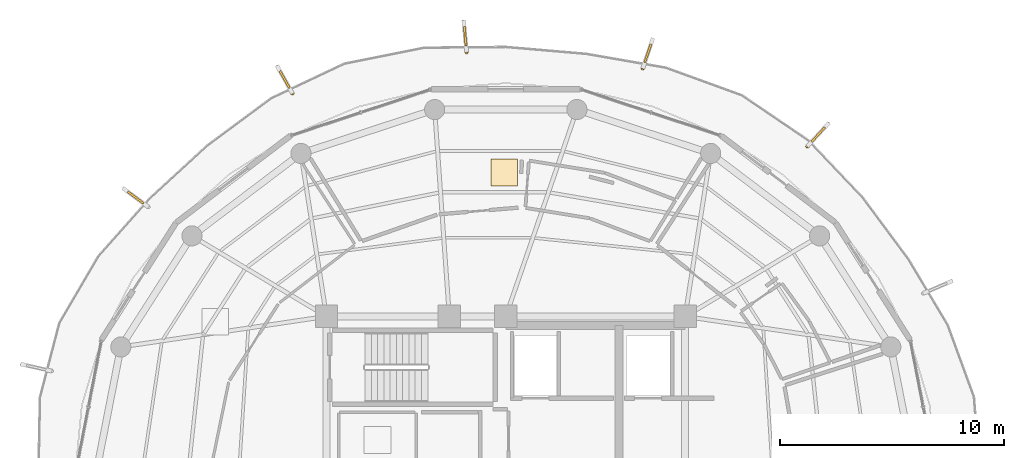
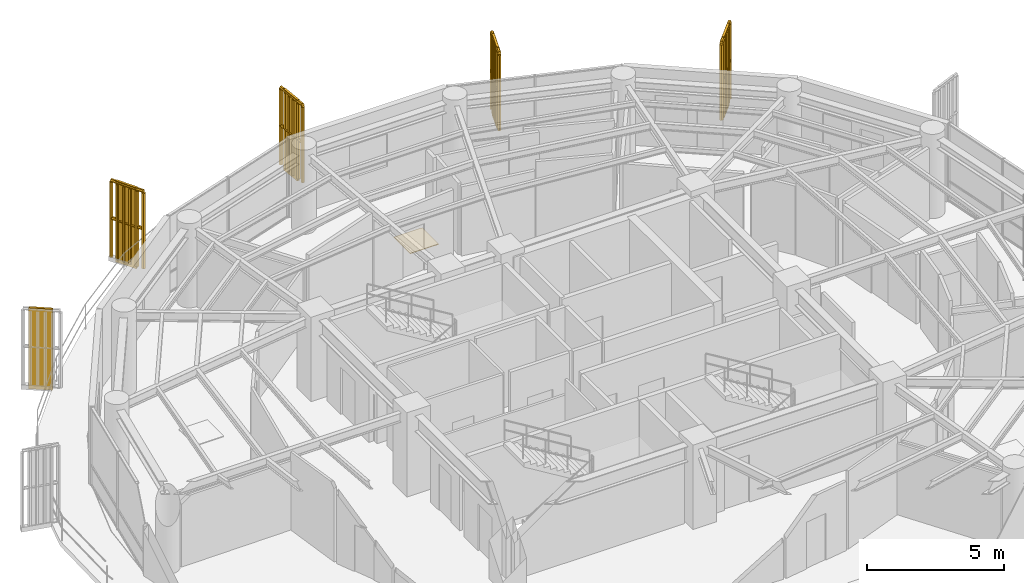
# One storey, part 22 of 22: 5 shading devices, 4 railings, 1 covering.
"""IFC4 building model written with IfcOpenShell, lengths in metres."""

import ifcopenshell
import ifcopenshell.guid

model = None  # the IFC model being written
_history = None  # IfcOwnerHistory: only IFC2X3 demands one
_inside = {}  # id of a spatial element -> (the spatial element, [elements in it])
_under = {}  # id of a project, library or spatial element -> (it, [spatial elements below it])
_declared = {}  # id of a project -> (the project, [libraries it declares])
_typed = {}  # id of a type object -> (the type object, [elements of that type])
_made_of = {}  # id of a material, layer set ... -> (it, [elements and type objects made of it])


def new_model(schema):
    """Start an empty IFC model of exactly this schema.

    Asked for "IFC4X3", IfcOpenShell would pick the latest addendum, in which some entities
    have other attributes; the version numbers below select the first issue.
    IFC2X3 requires an IfcOwnerHistory on every rooted entity: one is made here for all.
    """
    global model, _history
    if schema == "IFC4X3":
        model = ifcopenshell.file(schema_version=(4, 3, 0, 0))
    else:
        model = ifcopenshell.file(schema=schema)
    _inside.clear()
    _under.clear()
    _declared.clear()
    _typed.clear()
    _made_of.clear()
    _history = None
    if model.schema == "IFC2X3":
        org = make("IfcOrganization", Name="unknown")
        user = make(
            "IfcPersonAndOrganization",
            ThePerson=make("IfcPerson", FamilyName="unknown"),
            TheOrganization=org,
        )
        app = make(
            "IfcApplication",
            ApplicationDeveloper=org,
            Version="unknown",
            ApplicationFullName="unknown",
            ApplicationIdentifier="unknown",
        )
        _history = make(
            "IfcOwnerHistory",
            OwningUser=user,
            OwningApplication=app,
            ChangeAction="ADDED",
            CreationDate=0,
        )
    return model


def make(cls, **values):
    """One entity of the class cls with the attributes given. An attribute that is None is left unset."""
    return model.create_entity(
        cls, **{name: value for name, value in values.items() if value is not None}
    )


def rooted(cls, **values):
    """An entity with a GlobalId (a new one), such as an element, a storey or a relation."""
    return make(cls, GlobalId=ifcopenshell.guid.new(), OwnerHistory=_history, **values)


def si_unit(unit_type, name, prefix=None):
    """IfcSIUnit, for example si_unit("LENGTHUNIT", "METRE", prefix="MILLI")."""
    return make("IfcSIUnit", UnitType=unit_type, Prefix=prefix, Name=name)


def assignment(units):
    """IfcUnitAssignment: the units of a project."""
    return None if units is None else make("IfcUnitAssignment", Units=units)


def point(xyz):
    """IfcCartesianPoint."""
    return None if xyz is None else make("IfcCartesianPoint", Coordinates=xyz)


def direction(xyz):
    """IfcDirection."""
    return None if xyz is None else make("IfcDirection", DirectionRatios=xyz)


def frame(location, z_axis=None, x_axis=None):
    """IfcAxis2Placement3D, a coordinate frame: its origin and axes. An axis left out is left unset."""
    return make(
        "IfcAxis2Placement3D",
        Location=point(location),
        Axis=direction(z_axis),
        RefDirection=direction(x_axis),
    )


def frame_2d(location, x_axis=None):
    """IfcAxis2Placement2D, a coordinate frame in the plane: its origin and x axis."""
    return make(
        "IfcAxis2Placement2D", Location=point(location), RefDirection=direction(x_axis)
    )


def origin():
    """The frame at (0, 0, 0) with its axes left unset."""
    return frame((0.0, 0.0, 0.0))


def origin_2d():
    """The frame at (0, 0) in the plane with its x axis left unset."""
    return frame_2d((0.0, 0.0))


def place(relative_to, where):
    """IfcLocalPlacement: puts the frame where relative to a parent placement (None: the world)."""
    return make(
        "IfcLocalPlacement", PlacementRelTo=relative_to, RelativePlacement=where
    )


def context(
    kind, dimensions, precision=None, world=None, true_north=None, identifier=None
):
    """IfcGeometricRepresentationContext, for example the 3D "Model" context."""
    return make(
        "IfcGeometricRepresentationContext",
        ContextIdentifier=identifier,
        ContextType=kind,
        CoordinateSpaceDimension=dimensions,
        Precision=precision,
        WorldCoordinateSystem=world,
        TrueNorth=true_north,
    )


def subcontext(parent, identifier, kind, view, scale=None):
    """IfcGeometricRepresentationSubContext, for example "Body" below "Model"."""
    return make(
        "IfcGeometricRepresentationSubContext",
        ContextIdentifier=identifier,
        ContextType=kind,
        ParentContext=parent,
        TargetScale=scale,
        TargetView=view,
    )


def project(units=None, contexts=None):
    """IfcProject with its units and contexts."""
    return rooted(
        "IfcProject",
        Name="project",
        RepresentationContexts=contexts,
        UnitsInContext=assignment(units),
    )


def spatial(cls, under=None, at=None, **own):
    """A site, building, storey or space (cls), placed at a placement, below another one or the project."""
    s = rooted(cls, ObjectPlacement=at, **own)
    if under is not None:
        _under.setdefault(under.id(), (under, []))[1].append(s)
    return s


def polyline(points):
    """IfcPolyline through the points."""
    return make("IfcPolyline", Points=[point(p) for p in points])


def profile(cls, at=None, kind="AREA", **sizes):
    """A parametric profile (cls). Its sizes go by their IFC names, for example OverallWidth=200.0."""
    return make(cls, ProfileType=kind, Position=at, **sizes)


def rectangle(**sizes):
    """IfcRectangleProfileDef."""
    return profile("IfcRectangleProfileDef", **sizes)


def outline(outer, holes=None, kind="AREA"):
    """IfcArbitraryClosedProfileDef: a profile drawn as a closed curve; with holes, ...WithVoids."""
    if holes is None:
        return make("IfcArbitraryClosedProfileDef", ProfileType=kind, OuterCurve=outer)
    return make(
        "IfcArbitraryProfileDefWithVoids",
        ProfileType=kind,
        OuterCurve=outer,
        InnerCurves=holes,
    )


def extrude(swept, where, along, depth):
    """IfcExtrudedAreaSolid: the profile swept, set in the frame where, extruded along a direction by depth."""
    return make(
        "IfcExtrudedAreaSolid",
        SweptArea=swept,
        Position=where,
        ExtrudedDirection=direction(along),
        Depth=depth,
    )


def shape(context_of_items, identifier, shape_type, items):
    """IfcShapeRepresentation: the items that make up one representation, for example the "Body"."""
    return make(
        "IfcShapeRepresentation",
        ContextOfItems=context_of_items,
        RepresentationIdentifier=identifier,
        RepresentationType=shape_type,
        Items=items,
    )


def source(mapping_origin, context_of_items, identifier, shape_type, items):
    """IfcRepresentationMap: a shape defined once, which mapped items show again and again."""
    return make(
        "IfcRepresentationMap",
        MappingOrigin=mapping_origin,
        MappedRepresentation=shape(context_of_items, identifier, shape_type, items),
    )


def transform(
    local_origin,
    x_axis=None,
    y_axis=None,
    z_axis=None,
    scale=None,
    scale2=None,
    scale3=None,
    uniform=True,
):
    """IfcCartesianTransformationOperator3D, or its non-uniform kind. x_axis, y_axis, z_axis: its Axis1, 2, 3."""
    if uniform:
        return make(
            "IfcCartesianTransformationOperator3D",
            Axis1=direction(x_axis),
            Axis2=direction(y_axis),
            LocalOrigin=point(local_origin),
            Scale=scale,
            Axis3=direction(z_axis),
        )
    return make(
        "IfcCartesianTransformationOperator3DnonUniform",
        Axis1=direction(x_axis),
        Axis2=direction(y_axis),
        LocalOrigin=point(local_origin),
        Scale=scale,
        Axis3=direction(z_axis),
        Scale2=scale2,
        Scale3=scale3,
    )


def mapped(mapping_source, mapping_target):
    """IfcMappedItem: shows the shape of a source again, moved by a transform."""
    return make(
        "IfcMappedItem", MappingSource=mapping_source, MappingTarget=mapping_target
    )


def material(Name=None, Category=None):
    """IfcMaterial."""
    return make("IfcMaterial", Name=Name, Category=Category)


def layer(
    of_material, thickness, ventilated=None, Name=None, Category=None, Priority=None
):
    """IfcMaterialLayer: one layer of a wall or slab, of a material (None: an air gap)."""
    return make(
        "IfcMaterialLayer",
        Material=of_material,
        LayerThickness=thickness,
        IsVentilated=ventilated,
        Name=Name,
        Category=Category,
        Priority=Priority,
    )


def layer_set(layers, Name=None):
    """IfcMaterialLayerSet."""
    return make("IfcMaterialLayerSet", MaterialLayers=layers, LayerSetName=Name)


def made_of(thing, what):
    """Note that an element or type object is made of a material, layer set ...; save() writes the relation."""
    if what is not None:
        _made_of.setdefault(what.id(), (what, []))[1].append(thing)
    return thing


def type_object(cls, material=None, **own):
    """A type object (cls), such as IfcWallType, which elements share."""
    return made_of(rooted(cls, **own), material)


def element(
    cls,
    number,
    at=None,
    inside=None,
    cuts=None,
    type_object=None,
    material=None,
    context=None,
    identifier="Body",
    shape_type=None,
    held_by="IfcProductDefinitionShape",
    body=None,
    shapes=None,
    **own,
):
    """One element of the class cls, such as IfcWall. Its Tag is "e" and its number.

    at: its placement. inside: the storey or other place that contains it. cuts: it is an
    opening in that element (IfcRelVoidsElement). A single representation is given by context,
    identifier, shape_type and body (its items); several are given by shapes. held_by: the class
    of the entity that holds the representations. save() writes the other relations.
    """
    e = rooted(cls, Tag="e%d" % number, ObjectPlacement=at, **own)
    if body is not None:
        shapes = [shape(context, identifier, shape_type, body)]
    if shapes is not None:
        e.Representation = make(held_by, Representations=shapes)
    if inside is not None:
        _inside.setdefault(inside.id(), (inside, []))[1].append(e)
    if cuts is not None:
        rooted(
            "IfcRelVoidsElement", RelatingBuildingElement=cuts, RelatedOpeningElement=e
        )
    if type_object is not None:
        _typed.setdefault(type_object.id(), (type_object, []))[1].append(e)
    return made_of(e, material)


def aggregate(whole, parts):
    """IfcRelAggregates: a whole, such as a stair, and the parts it consists of."""
    return rooted("IfcRelAggregates", RelatingObject=whole, RelatedObjects=parts)


def save(model, path):
    """Write the relations noted so far, then the file.

    IfcRelAggregates (storeys below a building ...), IfcRelContainedInSpatialStructure (elements
    in a storey), IfcRelDefinesByType, IfcRelAssociatesMaterial and IfcRelDeclares: one each for
    every whole, place, type object, material and project.
    """
    for whole, parts in _under.values():
        aggregate(whole, parts)
    for where, things in _inside.values():
        rooted(
            "IfcRelContainedInSpatialStructure",
            RelatedElements=things,
            RelatingStructure=where,
        )
    for kind, things in _typed.values():
        rooted("IfcRelDefinesByType", RelatedObjects=things, RelatingType=kind)
    for what, things in _made_of.values():
        rooted("IfcRelAssociatesMaterial", RelatedObjects=things, RelatingMaterial=what)
    for by, libraries in _declared.values():
        rooted("IfcRelDeclares", RelatingContext=by, RelatedDefinitions=libraries)
    model.write(path)


model = new_model("IFC4")

# Units and contexts
model_context = context("Model", 3, precision=1e-05, world=origin(), true_north=direction((0.0, 1.0)))
body_context = subcontext(model_context, "Body", "Model", "MODEL_VIEW")
ifc_project = project(units=[si_unit("LENGTHUNIT", "METRE"), si_unit("AREAUNIT", "SQUARE_METRE"), si_unit("VOLUMEUNIT", "CUBIC_METRE"), si_unit("PLANEANGLEUNIT", "RADIAN"), si_unit("MASSUNIT", "GRAM", prefix="KILO")], contexts=[model_context])

# Site, building, storey
site_placement = place(None, origin())
site = spatial("IfcSite", under=ifc_project, at=site_placement, CompositionType="ELEMENT")
building_placement = place(site_placement, origin())
building = spatial("IfcBuilding", under=site, at=building_placement, Name="Kelanora Arch Commons", CompositionType="ELEMENT")
storey_placement = place(building_placement, frame((0.0, 0.0, 267.449951171875)))
storey = spatial("IfcBuildingStorey", under=building, at=storey_placement, Name="L68", CompositionType="ELEMENT", Elevation=267.449951171875)

# Railings
ifc_material_1 = material(Name="Anodised bronze vertical shading fin rib assembly")
railing_type = type_object("IfcRailingType", Name="RAIL-FIN-BRZ", PredefinedType="BALUSTRADE", material=ifc_material_1)
railing_1_placement = place(storey_placement, frame((87.451171875, 72.58349609375, -0.02001953125)))
element("IfcRailing", 1, at=railing_1_placement, inside=storey, type_object=railing_type, Name="Sweeping Bronze Vertical Fin Blade L68-03", PredefinedType="BALUSTRADE", context=body_context, shape_type="SweptSolid", body=[
    extrude(outline(polyline([(0.06982421875, 0.0), (0.034912109375, 0.060546875), (-0.034912109375, 0.060546875), (-0.06982421875, 0.0), (-0.034912109375, -0.060546875), (0.034912109375, -0.060546875), (0.06982421875, 0.0)])), frame((0.0, 0.0, 3.419921875), z_axis=(0.677963158423, 0.735095882059, 0.0), x_axis=(-0.735095882059, 0.677963158423, 0.0)), (0.0, 0.0, 1.0), 1.3759765625),
    extrude(outline(polyline([(0.06982421875, 0.0), (0.034912109375, 0.060546875), (-0.034912109375, 0.060546875), (-0.06982421875, 0.0), (-0.034912109375, -0.060546875), (0.034912109375, -0.060546875), (0.06982421875, 0.0)])), frame((0.0, 0.0, 1.7451171875), z_axis=(0.677963158423, 0.735095882059, 0.0), x_axis=(-0.735095882059, 0.677963158423, 0.0)), (0.0, 0.0, 1.0), 1.3759765625),
    extrude(outline(polyline([(0.080078125, 0.0), (0.0400390625, 0.0693359375), (-0.0400390625, 0.0693359375), (-0.080078125, 0.0), (-0.0400390625, -0.0693359375), (0.0400390625, -0.0693359375), (0.080078125, 0.0)])), origin(), (0.0, 0.0, 1.0), 3.35009765625),
    extrude(outline(polyline([(0.080078125, 0.0), (0.0400390625, 0.0693359375), (-0.0400390625, 0.0693359375), (-0.080078125, 0.0), (-0.0400390625, -0.0693359375), (0.0400390625, -0.0693359375), (0.080078125, 0.0)])), frame((0.1865234375, 0.202392578125, 0.0)), (0.0, 0.0, 1.0), 3.35009765625),
    extrude(outline(polyline([(0.080078125, 0.0), (0.0400390625, 0.0693359375), (-0.0400390625, 0.0693359375), (-0.080078125, 0.0), (-0.0400390625, -0.0693359375), (0.0400390625, -0.0693359375), (0.080078125, 0.0)])), frame((0.373046875, 0.404541015625, 0.0)), (0.0, 0.0, 1.0), 3.35009765625),
    extrude(outline(polyline([(0.080078125, 0.0), (0.0400390625, 0.0693359375), (-0.0400390625, 0.0693359375), (-0.080078125, 0.0), (-0.0400390625, -0.0693359375), (0.0400390625, -0.0693359375), (0.080078125, 0.0)])), frame((0.559814453125, 0.60693359375, 0.0)), (0.0, 0.0, 1.0), 3.35009765625),
    extrude(outline(polyline([(0.080078125, 0.0), (0.0400390625, 0.0693359375), (-0.0400390625, 0.0693359375), (-0.080078125, 0.0), (-0.0400390625, -0.0693359375), (0.0400390625, -0.0693359375), (0.080078125, 0.0)])), frame((0.746337890625, 0.80908203125, 0.0)), (0.0, 0.0, 1.0), 3.35009765625),
    extrude(outline(polyline([(0.080078125, 0.0), (0.0400390625, 0.0693359375), (-0.0400390625, 0.0693359375), (-0.080078125, 0.0), (-0.0400390625, -0.0693359375), (0.0400390625, -0.0693359375), (0.080078125, 0.0)])), frame((0.932861328125, 1.011474609375, 0.0)), (0.0, 0.0, 1.0), 3.35009765625),
])
railing_2_placement = place(storey_placement, frame((80.107177734375, 76.05615234375, -0.02001953125)))
element("IfcRailing", 2, at=railing_2_placement, inside=storey, type_object=railing_type, Name="Sweeping Bronze Vertical Fin Blade L68-04", PredefinedType="BALUSTRADE", context=body_context, shape_type="SweptSolid", body=[
    extrude(outline(polyline([(0.06982421875, 0.0), (0.034912109375, 0.060546875), (-0.034912109375, 0.060546875), (-0.06982421875, 0.0), (-0.034912109375, -0.060546875), (0.034912109375, -0.060546875), (0.06982421875, 0.0)])), frame((0.0, 0.0, 3.419921875), z_axis=(0.320324254187, 0.947307960581, 0.0), x_axis=(-0.947307960581, 0.320324254187, 0.0)), (0.0, 0.0, 1.0), 1.375732421875),
    extrude(outline(polyline([(0.06982421875, 0.0), (0.034912109375, 0.060546875), (-0.034912109375, 0.060546875), (-0.06982421875, 0.0), (-0.034912109375, -0.060546875), (0.034912109375, -0.060546875), (0.06982421875, 0.0)])), frame((0.0, 0.0, 1.7451171875), z_axis=(0.320324254187, 0.947307960581, 0.0), x_axis=(-0.947307960581, 0.320324254187, 0.0)), (0.0, 0.0, 1.0), 1.375732421875),
    extrude(outline(polyline([(0.080078125, 0.0), (0.0400390625, 0.0693359375), (-0.0400390625, 0.0693359375), (-0.080078125, 0.0), (-0.0400390625, -0.0693359375), (0.0400390625, -0.0693359375), (0.080078125, 0.0)])), origin(), (0.0, 0.0, 1.0), 3.35009765625),
    extrude(outline(polyline([(0.080078125, 0.0), (0.0400390625, 0.0693359375), (-0.0400390625, 0.0693359375), (-0.080078125, 0.0), (-0.0400390625, -0.0693359375), (0.0400390625, -0.0693359375), (0.080078125, 0.0)])), frame((0.088134765625, 0.2607421875, 0.0)), (0.0, 0.0, 1.0), 3.35009765625),
    extrude(outline(polyline([(0.080078125, 0.0), (0.0400390625, 0.0693359375), (-0.0400390625, 0.0693359375), (-0.080078125, 0.0), (-0.0400390625, -0.0693359375), (0.0400390625, -0.0693359375), (0.080078125, 0.0)])), frame((0.17626953125, 0.521240234375, 0.0)), (0.0, 0.0, 1.0), 3.35009765625),
    extrude(outline(polyline([(0.080078125, 0.0), (0.0400390625, 0.0693359375), (-0.0400390625, 0.0693359375), (-0.080078125, 0.0), (-0.0400390625, -0.0693359375), (0.0400390625, -0.0693359375), (0.080078125, 0.0)])), frame((0.264404296875, 0.781982421875, 0.0)), (0.0, 0.0, 1.0), 3.35009765625),
    extrude(outline(polyline([(0.080078125, 0.0), (0.0400390625, 0.0693359375), (-0.0400390625, 0.0693359375), (-0.080078125, 0.0), (-0.0400390625, -0.0693359375), (0.0400390625, -0.0693359375), (0.080078125, 0.0)])), frame((0.3525390625, 1.04248046875, 0.0)), (0.0, 0.0, 1.0), 3.35009765625),
    extrude(outline(polyline([(0.080078125, 0.0), (0.0400390625, 0.0693359375), (-0.0400390625, 0.0693359375), (-0.080078125, 0.0), (-0.0400390625, -0.0693359375), (0.0400390625, -0.0693359375), (0.080078125, 0.0)])), frame((0.440673828125, 1.30322265625, 0.0)), (0.0, 0.0, 1.0), 3.35009765625),
])
railing_3_placement = place(storey_placement, frame((72.2529296875, 76.786865234375, -0.02001953125)))
element("IfcRailing", 3, at=railing_3_placement, inside=storey, type_object=railing_type, Name="Sweeping Bronze Vertical Fin Blade L68-05", PredefinedType="BALUSTRADE", context=body_context, shape_type="SweptSolid", body=[
    extrude(outline(polyline([(0.06982421875, 0.0), (0.034912109375, 0.060546875), (-0.034912109375, 0.060546875), (-0.06982421875, 0.0), (-0.034912109375, -0.060546875), (0.034912109375, -0.060546875), (0.06982421875, 0.0)])), frame((0.0, 0.0, 3.419921875), z_axis=(-0.092631551842, 0.995700454757, 0.0), x_axis=(-0.995700454757, -0.092631551842, 0.0)), (0.0, 0.0, 1.0), 1.375732421875),
    extrude(outline(polyline([(0.06982421875, 0.0), (0.034912109375, 0.060546875), (-0.034912109375, 0.060546875), (-0.06982421875, 0.0), (-0.034912109375, -0.060546875), (0.034912109375, -0.060546875), (0.06982421875, 0.0)])), frame((0.0, 0.0, 1.7451171875), z_axis=(-0.092631551842, 0.995700454757, 0.0), x_axis=(-0.995700454757, -0.092631551842, 0.0)), (0.0, 0.0, 1.0), 1.375732421875),
    extrude(outline(polyline([(0.080078125, 0.0), (0.0400390625, 0.0693359375), (-0.0400390625, 0.0693359375), (-0.080078125, 0.0), (-0.0400390625, -0.0693359375), (0.0400390625, -0.0693359375), (0.080078125, 0.0)])), origin(), (0.0, 0.0, 1.0), 3.35009765625),
    extrude(outline(polyline([(0.080078125, 0.0), (0.0400390625, 0.0693359375), (-0.0400390625, 0.0693359375), (-0.080078125, 0.0), (-0.0400390625, -0.0693359375), (0.0400390625, -0.0693359375), (0.080078125, 0.0)])), frame((-0.025390625, 0.27392578125, 0.0)), (0.0, 0.0, 1.0), 3.35009765625),
    extrude(outline(polyline([(0.080078125, 0.0), (0.0400390625, 0.0693359375), (-0.0400390625, 0.0693359375), (-0.080078125, 0.0), (-0.0400390625, -0.0693359375), (0.0400390625, -0.0693359375), (0.080078125, 0.0)])), frame((-0.051025390625, 0.5478515625, 0.0)), (0.0, 0.0, 1.0), 3.35009765625),
    extrude(outline(polyline([(0.080078125, 0.0), (0.0400390625, 0.0693359375), (-0.0400390625, 0.0693359375), (-0.080078125, 0.0), (-0.0400390625, -0.0693359375), (0.0400390625, -0.0693359375), (0.080078125, 0.0)])), frame((-0.076416015625, 0.822021484375, 0.0)), (0.0, 0.0, 1.0), 3.35009765625),
    extrude(outline(polyline([(0.080078125, 0.0), (0.0400390625, 0.0693359375), (-0.0400390625, 0.0693359375), (-0.080078125, 0.0), (-0.0400390625, -0.0693359375), (0.0400390625, -0.0693359375), (0.080078125, 0.0)])), frame((-0.10205078125, 1.095947265625, 0.0)), (0.0, 0.0, 1.0), 3.35009765625),
    extrude(outline(polyline([(0.080078125, 0.0), (0.0400390625, 0.0693359375), (-0.0400390625, 0.0693359375), (-0.080078125, 0.0), (-0.0400390625, -0.0693359375), (0.0400390625, -0.0693359375), (0.080078125, 0.0)])), frame((-0.12744140625, 1.369873046875, 0.0)), (0.0, 0.0, 1.0), 3.35009765625),
])
railing_4_placement = place(storey_placement, frame((64.487548828125, 74.94189453125, -0.02001953125)))
element("IfcRailing", 4, at=railing_4_placement, inside=storey, type_object=railing_type, Name="Sweeping Bronze Vertical Fin Blade L68-06", PredefinedType="BALUSTRADE", context=body_context, shape_type="SweptSolid", body=[
    extrude(outline(polyline([(0.06982421875, 0.0), (0.034912109375, 0.060546875), (-0.034912109375, 0.060546875), (-0.06982421875, 0.0), (-0.034912109375, -0.060546875), (0.034912109375, -0.060546875), (0.06982421875, 0.0)])), frame((0.0, 0.0, 3.419921875), z_axis=(-0.489570261877, 0.871963851708, 0.0), x_axis=(-0.871963851708, -0.489570261877, 0.0)), (0.0, 0.0, 1.0), 1.3759765625),
    extrude(outline(polyline([(0.06982421875, 0.0), (0.034912109375, 0.060546875), (-0.034912109375, 0.060546875), (-0.06982421875, 0.0), (-0.034912109375, -0.060546875), (0.034912109375, -0.060546875), (0.06982421875, 0.0)])), frame((0.0, 0.0, 1.7451171875), z_axis=(-0.489570261877, 0.871963851708, 0.0), x_axis=(-0.871963851708, -0.489570261877, 0.0)), (0.0, 0.0, 1.0), 1.3759765625),
    extrude(outline(polyline([(0.080078125, 0.0), (0.0400390625, 0.0693359375), (-0.0400390625, 0.0693359375), (-0.080078125, 0.0), (-0.0400390625, -0.0693359375), (0.0400390625, -0.0693359375), (0.080078125, 0.0)])), origin(), (0.0, 0.0, 1.0), 3.35009765625),
    extrude(outline(polyline([(0.080078125, 0.0), (0.0400390625, 0.0693359375), (-0.0400390625, 0.0693359375), (-0.080078125, 0.0), (-0.0400390625, -0.0693359375), (0.0400390625, -0.0693359375), (0.080078125, 0.0)])), frame((-0.134765625, 0.239990234375, 0.0)), (0.0, 0.0, 1.0), 3.35009765625),
    extrude(outline(polyline([(0.080078125, 0.0), (0.0400390625, 0.0693359375), (-0.0400390625, 0.0693359375), (-0.080078125, 0.0), (-0.0400390625, -0.0693359375), (0.0400390625, -0.0693359375), (0.080078125, 0.0)])), frame((-0.26953125, 0.47998046875, 0.0)), (0.0, 0.0, 1.0), 3.35009765625),
    extrude(outline(polyline([(0.080078125, 0.0), (0.0400390625, 0.0693359375), (-0.0400390625, 0.0693359375), (-0.080078125, 0.0), (-0.0400390625, -0.0693359375), (0.0400390625, -0.0693359375), (0.080078125, 0.0)])), frame((-0.404052734375, 0.7197265625, 0.0)), (0.0, 0.0, 1.0), 3.35009765625),
    extrude(outline(polyline([(0.080078125, 0.0), (0.0400390625, 0.0693359375), (-0.0400390625, 0.0693359375), (-0.080078125, 0.0), (-0.0400390625, -0.0693359375), (0.0400390625, -0.0693359375), (0.080078125, 0.0)])), frame((-0.538818359375, 0.959716796875, 0.0)), (0.0, 0.0, 1.0), 3.35009765625),
    extrude(outline(polyline([(0.080078125, 0.0), (0.0400390625, 0.0693359375), (-0.0400390625, 0.0693359375), (-0.080078125, 0.0), (-0.0400390625, -0.0693359375), (0.0400390625, -0.0693359375), (0.080078125, 0.0)])), frame((-0.673583984375, 1.19970703125, 0.0)), (0.0, 0.0, 1.0), 3.35009765625),
])

# Shading devices
ifc_material_2 = material(Name="Terracotta ceramic-clad extruded aluminium fin", Category="masonry")
shading_device_type = type_object("IfcShadingDeviceType", Name="SHD-FIN-FLARE", PredefinedType="USERDEFINED", material=ifc_material_2)
shared_shape_1 = source(origin(), body_context, "Body", "SweptSolid", [
    extrude(rectangle(XDim=0.8798828125, YDim=0.090087890625, at=origin_2d()), origin(), (0.0, 0.0, 1.0), 3.610107421875),
])
for number, where, z_axis, x_axis, name in (
    (5, (87.939453125, 73.11279296875, -0.14013671875), (0.0, 0.0, 1.0), (0.678031392746, 0.735032945147, 0.0), "Sweeping Terracotta Fin L68-03"),
    (6, (80.337890625, 76.738037109375, -0.14013671875), (0.0, 0.0, 1.0), (0.320447666323, 0.947266220842, 0.0), "Sweeping Terracotta Fin L68-04"),
    (7, (72.186279296875, 77.50390625, -0.14013671875), (0.0, 0.0, 1.0), (-0.092544372783, 0.99570856131, 0.0), "Sweeping Terracotta Fin L68-05"),
    (8, (64.135009765625, 75.56982421875, -0.14013671875), (0.0, 0.0, 1.0), (-0.489534649095, 0.871983845799, 0.0), "Sweeping Terracotta Fin L68-06"),
    (9, (57.48291015625, 70.3056640625, -0.14013671875), (0.0, 0.0, 1.0), (-0.801879937297, 0.597485201625, 0.0), "Sweeping Terracotta Fin L68-07"),
):
    element("IfcShadingDevice", number, at=place(storey_placement, frame(where, z_axis=z_axis, x_axis=x_axis)), inside=storey, type_object=shading_device_type, Name=name, ObjectType="FIN", PredefinedType="USERDEFINED", context=body_context, shape_type="MappedRepresentation", body=[
        mapped(shared_shape_1, transform((0.0, 0.0, 0.0), scale=1.0)),
    ])

# Covering
ifc_material_3 = material(Name="Polished local granite terrazzo flooring", Category="masonry")
ifc_layer = layer(ifc_material_3, 0.030029296875)
ifc_layer_set = layer_set([ifc_layer], Name="Polished local granite terrazzo flooring")
covering_type = type_object("IfcCoveringType", Name="COV-FLR-TER", PredefinedType="FLOORING", material=ifc_layer_set)
shared_shape_2 = source(origin(), body_context, "Body", "SweptSolid", [
    extrude(rectangle(XDim=1.199951171875, YDim=1.199951171875, at=origin_2d()), origin(), (0.0, 0.0, 1.0), 0.030029296875),
])
covering_placement = place(storey_placement, frame((73.931640625, 71.420654296875, 0.0), z_axis=(0.0, 0.0, 1.0), x_axis=(1.0, 0.0, 0.0)))
element("IfcCovering", 10, at=covering_placement, inside=storey, type_object=covering_type, Name="Co-Living Studio L68-02 Terrazzo Finish", PredefinedType="FLOORING", context=body_context, shape_type="MappedRepresentation", body=[
    mapped(shared_shape_2, transform((0.0, 0.0, 0.0), scale=1.0)),
])

save(model, "model.ifc")
